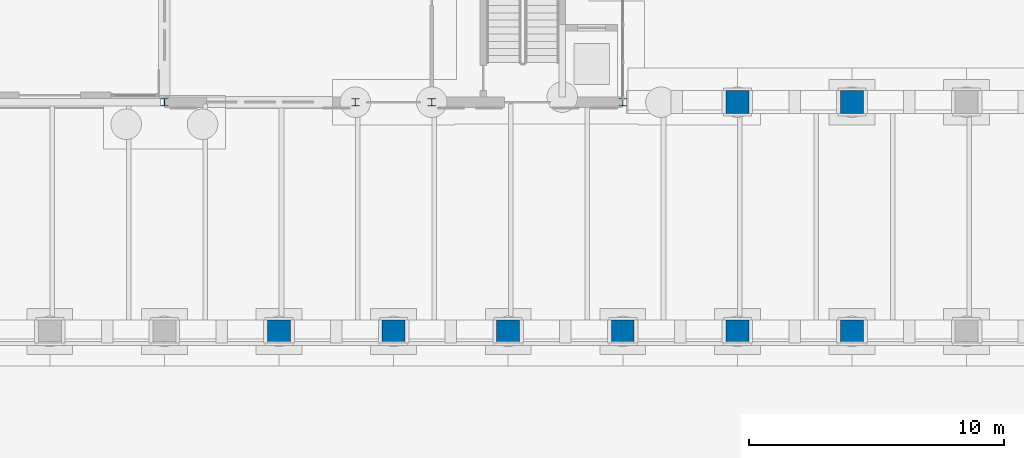
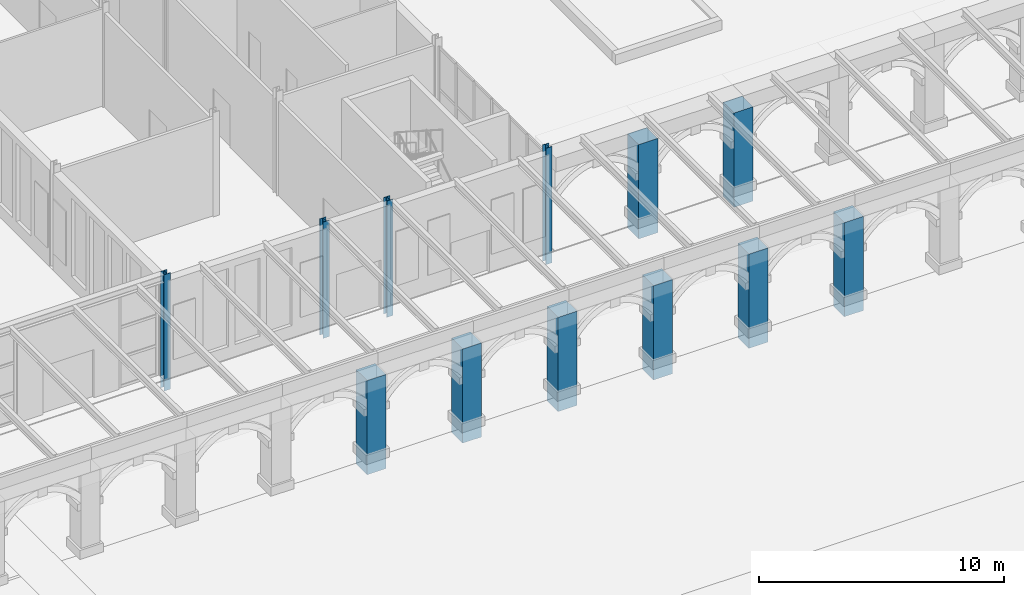
# One storey, part 15 of 168: 12 columns.
"""IFC4 building model written with IfcOpenShell, lengths in metres."""

from ifc_helpers import new_model, si_unit, direction, frame, origin, origin_2d, place, context, subcontext, project, spatial, rectangle, i_section, extrude, material, material_profile, profile_set, type_object, element, save


model = new_model("IFC4")

# Units and contexts
model_context = context("Model", 3, precision=1e-05, world=origin(), true_north=direction((0.0, 1.0)))
body_context = subcontext(model_context, "Body", "Model", "MODEL_VIEW")
ifc_project = project(units=[si_unit("LENGTHUNIT", "METRE"), si_unit("AREAUNIT", "SQUARE_METRE"), si_unit("VOLUMEUNIT", "CUBIC_METRE"), si_unit("PLANEANGLEUNIT", "RADIAN"), si_unit("MASSUNIT", "GRAM", prefix="KILO")], contexts=[model_context])

# Site, building, storey
site_placement = place(None, origin())
site = spatial("IfcSite", under=ifc_project, at=site_placement, CompositionType="ELEMENT")
building_placement = place(site_placement, origin())
building = spatial("IfcBuilding", under=site, at=building_placement, Name="Golden Quay Civic Hall", CompositionType="ELEMENT")
storey_placement = place(building_placement, origin())
storey = spatial("IfcBuildingStorey", under=building, at=storey_placement, Name="L00", CompositionType="ELEMENT", Elevation=0.0)

# Columns
ifc_material_1 = material(Name="Concrete C40/50", Category="concrete")
ifc_material_profile_1 = material_profile(ifc_material_1, rectangle(XDim=0.89990234375, YDim=0.89990234375, at=origin_2d()), Name="RC 900x900")
ifc_profile_set_1 = profile_set([ifc_material_profile_1], Name="Concrete C40/50")
column_type_1 = type_object("IfcColumnType", Name="Concrete column RC 900x900", PredefinedType="COLUMN", material=ifc_profile_set_1)
for number, where, z_axis, x_axis, name in (
    (1, (103.5, -9.0, -0.60009765625), (0.0, 0.0, 1.0), (1.0, 0.0, 0.0), "Arcade pier outer 103.5"),
    (2, (108.0, -9.0, -0.60009765625), (0.0, 0.0, 1.0), (1.0, 0.0, 0.0), "Arcade pier outer 108"),
    (3, (112.5, -9.0, -0.60009765625), (0.0, 0.0, 1.0), (1.0, 0.0, 0.0), "Arcade pier outer 112.5"),
    (4, (117.0, -9.0, -0.60009765625), (0.0, 0.0, 1.0), (1.0, 0.0, 0.0), "Arcade pier outer 117"),
    (5, (121.5, -9.0, -0.60009765625), (0.0, 0.0, 1.0), (1.0, 0.0, 0.0), "Arcade pier outer 121.5"),
    (6, (126.0, -9.0, -0.60009765625), (0.0, 0.0, 1.0), (1.0, 0.0, 0.0), "Arcade pier outer 126"),
    (7, (121.5, 0.0, -0.60009765625), (0.0, 0.0, 1.0), (1.0, 0.0, 0.0), "Arcade pier inner1 121.5"),
    (8, (126.0, 0.0, -0.60009765625), (0.0, 0.0, 1.0), (1.0, 0.0, 0.0), "Arcade pier inner1 126"),
):
    element("IfcColumn", number, at=place(storey_placement, frame(where, z_axis=z_axis, x_axis=x_axis)), inside=storey, type_object=column_type_1, Name=name, PredefinedType="COLUMN", context=body_context, shape_type="SweptSolid", body=[
        extrude(rectangle(XDim=0.89990234375, YDim=0.89990234375, at=origin_2d()), origin(), (0.0, 0.0, 1.0), 4.7001953125),
    ])
ifc_material_2 = material(Name="Steel S355", Category="steel")
ifc_material_profile_2 = material_profile(ifc_material_2, i_section(OverallWidth=0.300048828125, OverallDepth=0.2900390625, WebThickness=0.008544921875, FlangeThickness=0.013916015625, FilletRadius=0.027099609375, at=origin_2d()), Name="HEA 300")
ifc_profile_set_2 = profile_set([ifc_material_profile_2], Name="Steel S355")
column_type_2 = type_object("IfcColumnType", Name="Steel column HEA 300", PredefinedType="COLUMN", material=ifc_profile_set_2)
for number, where, z_axis, x_axis, name in (
    (9, (99.0, 0.0, -0.60009765625), (0.0, 0.0, 1.0), (1.0, 0.0, 0.0), "Column 99/0 L00"),
    (10, (106.5, 0.0, -0.60009765625), (0.0, 0.0, 1.0), (1.0, 0.0, 0.0), "Column 106.5/0 L00"),
    (11, (109.5, 0.0, -0.60009765625), (0.0, 0.0, 1.0), (1.0, 0.0, 0.0), "Column 109.5/0 L00"),
    (12, (117.0, 0.0, -0.60009765625), (0.0, 0.0, 1.0), (1.0, 0.0, 0.0), "Column 117/0 L00"),
):
    element("IfcColumn", number, at=place(storey_placement, frame(where, z_axis=z_axis, x_axis=x_axis)), inside=storey, type_object=column_type_2, Name=name, PredefinedType="COLUMN", context=body_context, shape_type="SweptSolid", body=[
        extrude(i_section(OverallWidth=0.300048828125, OverallDepth=0.2900390625, WebThickness=0.008544921875, FlangeThickness=0.013916015625, FilletRadius=0.027099609375, at=origin_2d()), origin(), (0.0, 0.0, 1.0), 5.800048828125),
    ])

save(model, "model.ifc")
